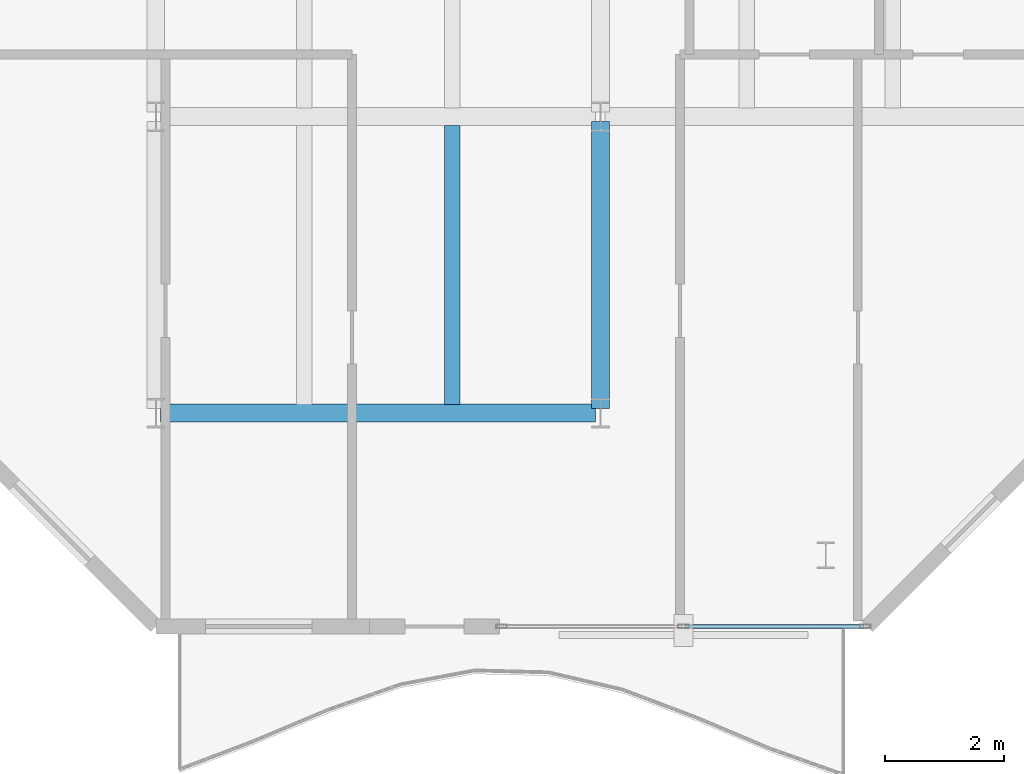
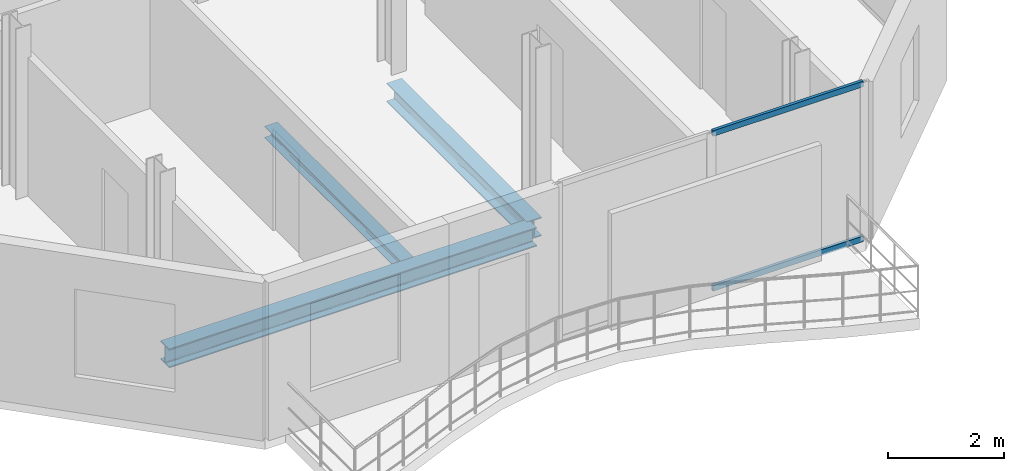
# One storey, part 4 of 23: 3 beams, 2 members, 1 element without a shape of its own.
"""IFC4 building model written with IfcOpenShell, lengths in metres."""

from ifc_helpers import new_model, si_unit, direction, frame, origin, origin_2d, place, context, subcontext, project, spatial, hollow_rectangle, i_section, extrude, material, layer, layer_set, material_profile, profile_set, type_object, element, aggregate, save


model = new_model("IFC4")

# Units and contexts
model_context = context("Model", 3, precision=1e-05, world=origin(), true_north=direction((0.0, 1.0)))
body_context = subcontext(model_context, "Body", "Model", "MODEL_VIEW")
ifc_project = project(units=[si_unit("LENGTHUNIT", "METRE"), si_unit("AREAUNIT", "SQUARE_METRE"), si_unit("VOLUMEUNIT", "CUBIC_METRE"), si_unit("PLANEANGLEUNIT", "RADIAN"), si_unit("MASSUNIT", "GRAM", prefix="KILO")], contexts=[model_context])

# Site, building, storey
site_placement = place(None, origin())
site = spatial("IfcSite", under=ifc_project, at=site_placement, CompositionType="ELEMENT")
building_placement = place(site_placement, origin())
building = spatial("IfcBuilding", under=site, at=building_placement, Name="Catumbela Crestline Tower", CompositionType="ELEMENT")
storey_placement = place(building_placement, frame((0.0, 0.0, 193.8)))
storey = spatial("IfcBuildingStorey", under=building, at=storey_placement, Name="L50", CompositionType="ELEMENT", Elevation=193.8)

# Beams
ifc_material_1 = material(Name="Structural steel S355J2", Category="steel")
ifc_material_profile_1 = material_profile(ifc_material_1, i_section(OverallWidth=0.3, OverallDepth=0.4, WebThickness=0.0135, FlangeThickness=0.024, FilletRadius=0.027, at=origin_2d()), Name="HEB 400")
ifc_profile_set_1 = profile_set([ifc_material_profile_1], Name="Structural steel S355J2")
beam_type_1 = type_object("IfcBeamType", Name="BG-HEB400", PredefinedType="BEAM", material=ifc_profile_set_1)
beam_1_placement = place(storey_placement, frame((8.58, 8.6, -0.46), z_axis=(1.0, 0.0, 0.0), x_axis=(0.0, 1.0, 0.0)))
element("IfcBeam", 1, at=beam_1_placement, inside=storey, type_object=beam_type_1, Name="L50 Beam BM-L50-WEW32", PredefinedType="BEAM", context=body_context, shape_type="SweptSolid", body=[
    extrude(i_section(OverallWidth=0.3, OverallDepth=0.4, WebThickness=0.0135, FlangeThickness=0.024, FilletRadius=0.027, at=origin_2d()), origin(), (0.0, 0.0, 1.0), 7.34),
])
beam_2_placement = place(storey_placement, frame((16.0, 8.68, -0.46), z_axis=(0.0, 1.0, 0.0), x_axis=(-1.0, 0.0, 0.0)))
element("IfcBeam", 2, at=beam_2_placement, inside=storey, type_object=beam_type_1, Name="L50 Beam BM-L50-WNS40", PredefinedType="BEAM", context=body_context, shape_type="SweptSolid", body=[
    extrude(i_section(OverallWidth=0.3, OverallDepth=0.4, WebThickness=0.0135, FlangeThickness=0.024, FilletRadius=0.027, at=origin_2d()), origin(), (0.0, 0.0, 1.0), 4.84),
])
ifc_material_profile_2 = material_profile(ifc_material_1, i_section(OverallWidth=0.26, OverallDepth=0.25, WebThickness=0.0075, FlangeThickness=0.0125, FilletRadius=0.024, at=origin_2d()), Name="HEA 260")
ifc_profile_set_2 = profile_set([ifc_material_profile_2], Name="Structural steel S355J2")
beam_type_2 = type_object("IfcBeamType", Name="BJ-HEA260", PredefinedType="JOIST", material=ifc_profile_set_2)
beam_3_placement = place(storey_placement, frame((13.5, 8.747, -0.385), z_axis=(0.0, 1.0, 0.0), x_axis=(-1.0, 0.0, 0.0)))
element("IfcBeam", 3, at=beam_3_placement, inside=storey, type_object=beam_type_2, Name="L50 Joist JS-L50-WG45", PredefinedType="JOIST", context=body_context, shape_type="SweptSolid", body=[
    extrude(i_section(OverallWidth=0.26, OverallDepth=0.25, WebThickness=0.0075, FlangeThickness=0.0125, FilletRadius=0.024, at=origin_2d()), origin(), (0.0, 0.0, 1.0), 4.706),
])

# Curtain wall, members
ifc_material_2 = material(Name="Aluminium alloy AW-6060-T66", Category="aluminium")
ifc_layer = layer(ifc_material_2, 0.18, Name="Aluminium alloy AW-6060-T66")
ifc_layer_set = layer_set([ifc_layer], Name="Aluminium alloy AW-6060-T66")
curtain_wall_type = type_object("IfcCurtainWallType", Name="CWU-Z3", PredefinedType="USERDEFINED", material=ifc_layer_set)
curtain_wall_placement = place(storey_placement, origin())
curtain_wall = element("IfcCurtainWall", 4, at=curtain_wall_placement, inside=storey, type_object=curtain_wall_type, Name="L50 Unitised Curtain Wall CW-L50-E0S2", ObjectType="UNITISED", PredefinedType="USERDEFINED")
ifc_material_profile_3 = material_profile(ifc_material_2, hollow_rectangle(XDim=0.06, YDim=0.12, WallThickness=0.0035, at=origin_2d()), Name="ALU 120x60x3.5")
ifc_profile_set_3 = profile_set([ifc_material_profile_3], Name="Aluminium alloy AW-6060-T66")
member_type = type_object("IfcMemberType", Name="TRN-120X60", PredefinedType="USERDEFINED", material=ifc_profile_set_3)
member_1_placement = place(storey_placement, frame((17.4325, 5.0, 0.03), z_axis=(1.0, 0.0, 0.0), x_axis=(0.0, 1.0, 0.0)))
member_1 = element("IfcMember", 5, at=member_1_placement, type_object=member_type, Name="CWU-Z3 transom 2.1", ObjectType="TRANSOM", PredefinedType="USERDEFINED", context=body_context, shape_type="SweptSolid", body=[
    extrude(hollow_rectangle(XDim=0.06, YDim=0.12, WallThickness=0.0035, at=origin_2d()), origin(), (0.0, 0.0, 1.0), 3.0025),
])
member_2_placement = place(storey_placement, frame((17.4325, 5.0, 3.3), z_axis=(1.0, 0.0, 0.0), x_axis=(0.0, 1.0, 0.0)))
member_2 = element("IfcMember", 6, at=member_2_placement, type_object=member_type, Name="CWU-Z3 transom 2.2", ObjectType="TRANSOM", PredefinedType="USERDEFINED", context=body_context, shape_type="SweptSolid", body=[
    extrude(hollow_rectangle(XDim=0.06, YDim=0.12, WallThickness=0.0035, at=origin_2d()), origin(), (0.0, 0.0, 1.0), 3.0025),
])
aggregate(curtain_wall, [member_1, member_2])

save(model, "model.ifc")
